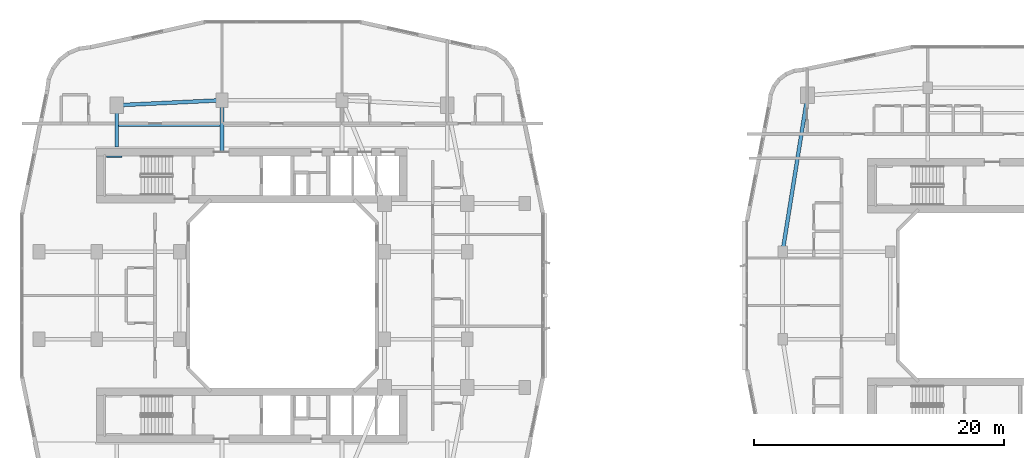
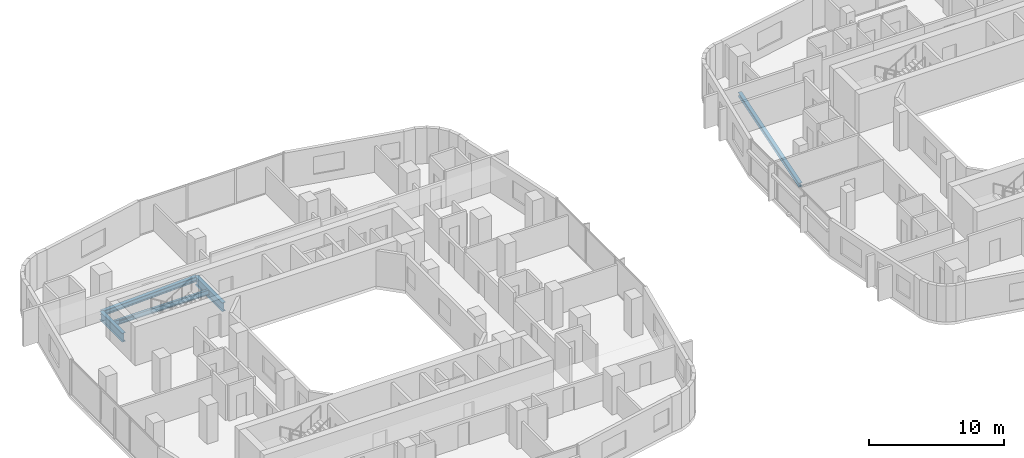
# One storey, part 6 of 27: 6 beams.
"""IFC4 building model written with IfcOpenShell, lengths in metres."""

import ifcopenshell
import ifcopenshell.guid

model = None  # the IFC model being written
_history = None  # IfcOwnerHistory: only IFC2X3 demands one
_inside = {}  # id of a spatial element -> (the spatial element, [elements in it])
_under = {}  # id of a project, library or spatial element -> (it, [spatial elements below it])
_declared = {}  # id of a project -> (the project, [libraries it declares])
_typed = {}  # id of a type object -> (the type object, [elements of that type])
_made_of = {}  # id of a material, layer set ... -> (it, [elements and type objects made of it])


def new_model(schema):
    """Start an empty IFC model of exactly this schema.

    Asked for "IFC4X3", IfcOpenShell would pick the latest addendum, in which some entities
    have other attributes; the version numbers below select the first issue.
    IFC2X3 requires an IfcOwnerHistory on every rooted entity: one is made here for all.
    """
    global model, _history
    if schema == "IFC4X3":
        model = ifcopenshell.file(schema_version=(4, 3, 0, 0))
    else:
        model = ifcopenshell.file(schema=schema)
    _inside.clear()
    _under.clear()
    _declared.clear()
    _typed.clear()
    _made_of.clear()
    _history = None
    if model.schema == "IFC2X3":
        org = make("IfcOrganization", Name="unknown")
        user = make(
            "IfcPersonAndOrganization",
            ThePerson=make("IfcPerson", FamilyName="unknown"),
            TheOrganization=org,
        )
        app = make(
            "IfcApplication",
            ApplicationDeveloper=org,
            Version="unknown",
            ApplicationFullName="unknown",
            ApplicationIdentifier="unknown",
        )
        _history = make(
            "IfcOwnerHistory",
            OwningUser=user,
            OwningApplication=app,
            ChangeAction="ADDED",
            CreationDate=0,
        )
    return model


def make(cls, **values):
    """One entity of the class cls with the attributes given. An attribute that is None is left unset."""
    return model.create_entity(
        cls, **{name: value for name, value in values.items() if value is not None}
    )


def rooted(cls, **values):
    """An entity with a GlobalId (a new one), such as an element, a storey or a relation."""
    return make(cls, GlobalId=ifcopenshell.guid.new(), OwnerHistory=_history, **values)


def si_unit(unit_type, name, prefix=None):
    """IfcSIUnit, for example si_unit("LENGTHUNIT", "METRE", prefix="MILLI")."""
    return make("IfcSIUnit", UnitType=unit_type, Prefix=prefix, Name=name)


def derived_unit(unit_type, elements):
    """IfcDerivedUnit: a product of units, each with its exponent."""
    return make(
        "IfcDerivedUnit",
        Elements=[
            make("IfcDerivedUnitElement", Unit=unit, Exponent=power)
            for unit, power in elements
        ],
        UnitType=unit_type,
    )


def assignment(units):
    """IfcUnitAssignment: the units of a project."""
    return None if units is None else make("IfcUnitAssignment", Units=units)


def point(xyz):
    """IfcCartesianPoint."""
    return None if xyz is None else make("IfcCartesianPoint", Coordinates=xyz)


def direction(xyz):
    """IfcDirection."""
    return None if xyz is None else make("IfcDirection", DirectionRatios=xyz)


def frame(location, z_axis=None, x_axis=None):
    """IfcAxis2Placement3D, a coordinate frame: its origin and axes. An axis left out is left unset."""
    return make(
        "IfcAxis2Placement3D",
        Location=point(location),
        Axis=direction(z_axis),
        RefDirection=direction(x_axis),
    )


def frame_2d(location, x_axis=None):
    """IfcAxis2Placement2D, a coordinate frame in the plane: its origin and x axis."""
    return make(
        "IfcAxis2Placement2D", Location=point(location), RefDirection=direction(x_axis)
    )


def origin():
    """The frame at (0, 0, 0) with its axes left unset."""
    return frame((0.0, 0.0, 0.0))


def origin_2d():
    """The frame at (0, 0) in the plane with its x axis left unset."""
    return frame_2d((0.0, 0.0))


def place(relative_to, where):
    """IfcLocalPlacement: puts the frame where relative to a parent placement (None: the world)."""
    return make(
        "IfcLocalPlacement", PlacementRelTo=relative_to, RelativePlacement=where
    )


def context(
    kind, dimensions, precision=None, world=None, true_north=None, identifier=None
):
    """IfcGeometricRepresentationContext, for example the 3D "Model" context."""
    return make(
        "IfcGeometricRepresentationContext",
        ContextIdentifier=identifier,
        ContextType=kind,
        CoordinateSpaceDimension=dimensions,
        Precision=precision,
        WorldCoordinateSystem=world,
        TrueNorth=true_north,
    )


def subcontext(parent, identifier, kind, view, scale=None):
    """IfcGeometricRepresentationSubContext, for example "Body" below "Model"."""
    return make(
        "IfcGeometricRepresentationSubContext",
        ContextIdentifier=identifier,
        ContextType=kind,
        ParentContext=parent,
        TargetScale=scale,
        TargetView=view,
    )


def project(units=None, contexts=None):
    """IfcProject with its units and contexts."""
    return rooted(
        "IfcProject",
        Name="project",
        RepresentationContexts=contexts,
        UnitsInContext=assignment(units),
    )


def spatial(cls, under=None, at=None, **own):
    """A site, building, storey or space (cls), placed at a placement, below another one or the project."""
    s = rooted(cls, ObjectPlacement=at, **own)
    if under is not None:
        _under.setdefault(under.id(), (under, []))[1].append(s)
    return s


def profile(cls, at=None, kind="AREA", **sizes):
    """A parametric profile (cls). Its sizes go by their IFC names, for example OverallWidth=200.0."""
    return make(cls, ProfileType=kind, Position=at, **sizes)


def i_section(**sizes):
    """IfcIShapeProfileDef."""
    return profile("IfcIShapeProfileDef", **sizes)


def extrude(swept, where, along, depth):
    """IfcExtrudedAreaSolid: the profile swept, set in the frame where, extruded along a direction by depth."""
    return make(
        "IfcExtrudedAreaSolid",
        SweptArea=swept,
        Position=where,
        ExtrudedDirection=direction(along),
        Depth=depth,
    )


def shape(context_of_items, identifier, shape_type, items):
    """IfcShapeRepresentation: the items that make up one representation, for example the "Body"."""
    return make(
        "IfcShapeRepresentation",
        ContextOfItems=context_of_items,
        RepresentationIdentifier=identifier,
        RepresentationType=shape_type,
        Items=items,
    )


def material(Name=None, Category=None):
    """IfcMaterial."""
    return make("IfcMaterial", Name=Name, Category=Category)


def material_profile(
    of_material, cross_section, Name=None, Category=None, Priority=None
):
    """IfcMaterialProfile: a cross section and its material."""
    return make(
        "IfcMaterialProfile",
        Name=Name,
        Material=of_material,
        Profile=cross_section,
        Priority=Priority,
        Category=Category,
    )


def profile_set(profiles, Name=None, composite=None):
    """IfcMaterialProfileSet."""
    return make(
        "IfcMaterialProfileSet",
        Name=Name,
        MaterialProfiles=profiles,
        CompositeProfile=composite,
    )


def made_of(thing, what):
    """Note that an element or type object is made of a material, layer set ...; save() writes the relation."""
    if what is not None:
        _made_of.setdefault(what.id(), (what, []))[1].append(thing)
    return thing


def type_object(cls, material=None, **own):
    """A type object (cls), such as IfcWallType, which elements share."""
    return made_of(rooted(cls, **own), material)


def element(
    cls,
    number,
    at=None,
    inside=None,
    cuts=None,
    type_object=None,
    material=None,
    context=None,
    identifier="Body",
    shape_type=None,
    held_by="IfcProductDefinitionShape",
    body=None,
    shapes=None,
    **own,
):
    """One element of the class cls, such as IfcWall. Its Tag is "e" and its number.

    at: its placement. inside: the storey or other place that contains it. cuts: it is an
    opening in that element (IfcRelVoidsElement). A single representation is given by context,
    identifier, shape_type and body (its items); several are given by shapes. held_by: the class
    of the entity that holds the representations. save() writes the other relations.
    """
    e = rooted(cls, Tag="e%d" % number, ObjectPlacement=at, **own)
    if body is not None:
        shapes = [shape(context, identifier, shape_type, body)]
    if shapes is not None:
        e.Representation = make(held_by, Representations=shapes)
    if inside is not None:
        _inside.setdefault(inside.id(), (inside, []))[1].append(e)
    if cuts is not None:
        rooted(
            "IfcRelVoidsElement", RelatingBuildingElement=cuts, RelatedOpeningElement=e
        )
    if type_object is not None:
        _typed.setdefault(type_object.id(), (type_object, []))[1].append(e)
    return made_of(e, material)


def aggregate(whole, parts):
    """IfcRelAggregates: a whole, such as a stair, and the parts it consists of."""
    return rooted("IfcRelAggregates", RelatingObject=whole, RelatedObjects=parts)


def save(model, path):
    """Write the relations noted so far, then the file.

    IfcRelAggregates (storeys below a building ...), IfcRelContainedInSpatialStructure (elements
    in a storey), IfcRelDefinesByType, IfcRelAssociatesMaterial and IfcRelDeclares: one each for
    every whole, place, type object, material and project.
    """
    for whole, parts in _under.values():
        aggregate(whole, parts)
    for where, things in _inside.values():
        rooted(
            "IfcRelContainedInSpatialStructure",
            RelatedElements=things,
            RelatingStructure=where,
        )
    for kind, things in _typed.values():
        rooted("IfcRelDefinesByType", RelatedObjects=things, RelatingType=kind)
    for what, things in _made_of.values():
        rooted("IfcRelAssociatesMaterial", RelatedObjects=things, RelatingMaterial=what)
    for by, libraries in _declared.values():
        rooted("IfcRelDeclares", RelatingContext=by, RelatedDefinitions=libraries)
    model.write(path)


model = new_model("IFC4")

# Units and contexts
model_context = context("Model", 3, precision=1e-05, world=origin(), true_north=direction((0.0, 1.0)))
body_context = subcontext(model_context, "Body", "Model", "MODEL_VIEW")
ifc_project = project(units=[si_unit("LENGTHUNIT", "METRE"), si_unit("AREAUNIT", "SQUARE_METRE"), si_unit("VOLUMEUNIT", "CUBIC_METRE"), si_unit("PLANEANGLEUNIT", "RADIAN"), si_unit("MASSUNIT", "GRAM", prefix="KILO"), derived_unit("THERMALTRANSMITTANCEUNIT", [(si_unit("POWERUNIT", "WATT"), 1), (si_unit("LENGTHUNIT", "METRE"), -2), (si_unit("THERMODYNAMICTEMPERATUREUNIT", "KELVIN"), -1)])], contexts=[model_context])

# Site, building, storey
site_placement = place(None, origin())
site = spatial("IfcSite", under=ifc_project, at=site_placement, CompositionType="ELEMENT")
building_placement = place(site_placement, origin())
building = spatial("IfcBuilding", under=site, at=building_placement, Name="Kivonza Crest Hotel", CompositionType="ELEMENT")
storey_placement = place(building_placement, frame((0.0, 0.0, 31.0)))
storey = spatial("IfcBuildingStorey", under=building, at=storey_placement, Name="L07", CompositionType="ELEMENT", Elevation=31.0)

# Beams
ifc_material = material(Name="Steel S355", Category="steel")
ifc_material_profile_1 = material_profile(ifc_material, i_section(OverallWidth=0.300048828125, OverallDepth=0.360107421875, WebThickness=0.012451171875, FlangeThickness=0.0224609375, FilletRadius=0.027099609375, at=origin_2d()), Name="HEB 360")
ifc_profile_set_1 = profile_set([ifc_material_profile_1], Name="Steel S355")
beam_type_1 = type_object("IfcBeamType", Name="BM-HEB360", PredefinedType="SPANDREL", material=ifc_profile_set_1)
beam_1_placement = place(storey_placement, frame((63.0, 41.0, -0.429931640625), z_axis=(-0.157990501107, -0.987440631917, 0.0), x_axis=(0.987440631917, -0.157990501107, 0.0)))
element("IfcBeam", 1, at=beam_1_placement, inside=storey, type_object=beam_type_1, Name="Companion Tower T2 L07 perimeter spandrel NW-W2", PredefinedType="SPANDREL", context=body_context, shape_type="SweptSolid", body=[
    extrude(i_section(OverallWidth=0.300048828125, OverallDepth=0.360107421875, WebThickness=0.012451171875, FlangeThickness=0.0224609375, FilletRadius=0.027099609375, at=origin_2d()), origin(), (0.0, 0.0, 1.0), 12.658935546875),
])
ifc_material_profile_2 = material_profile(ifc_material, i_section(OverallWidth=0.300048828125, OverallDepth=0.449951171875, WebThickness=0.013916015625, FlangeThickness=0.02587890625, FilletRadius=0.027099609375, at=origin_2d()), Name="HEB 450")
ifc_profile_set_2 = profile_set([ifc_material_profile_2], Name="Steel S355")
beam_type_2 = type_object("IfcBeamType", Name="BM-HEB450", PredefinedType="SPANDREL", material=ifc_profile_set_2)
beam_2_placement = place(storey_placement, frame((16.199951171875, 40.60009765625, -0.5048828125), z_axis=(-0.998867283688, -0.047583080799, 0.0), x_axis=(0.047583080799, -0.998867283688, 0.0)))
element("IfcBeam", 2, at=beam_2_placement, inside=storey, type_object=beam_type_2, Name="Tower T1 L07 perimeter spandrel N1-NW", PredefinedType="SPANDREL", context=body_context, shape_type="SweptSolid", body=[
    extrude(i_section(OverallWidth=0.300048828125, OverallDepth=0.449951171875, WebThickness=0.013916015625, FlangeThickness=0.02587890625, FilletRadius=0.027099609375, at=origin_2d()), origin(), (0.0, 0.0, 1.0), 8.409423828125),
])
ifc_material_profile_3 = material_profile(ifc_material, i_section(OverallWidth=0.300048828125, OverallDepth=0.800048828125, WebThickness=0.017578125, FlangeThickness=0.032958984375, FilletRadius=0.030029296875, at=origin_2d()), Name="HEB 800")
ifc_profile_set_3 = profile_set([ifc_material_profile_3], Name="Steel S355")
beam_type_3 = type_object("IfcBeamType", Name="BM-HEB800", PredefinedType="BEAM", material=ifc_profile_set_3)
beam_3_placement = place(storey_placement, frame((7.800048828125, 40.199951171875, -0.679931640625), z_axis=(0.0, -1.0, 0.0), x_axis=(1.0, 0.0, 0.0)))
element("IfcBeam", 3, at=beam_3_placement, inside=storey, type_object=beam_type_3, Name="Tower T1 L07 radial core girder RNW", PredefinedType="BEAM", context=body_context, shape_type="SweptSolid", body=[
    extrude(i_section(OverallWidth=0.300048828125, OverallDepth=0.800048828125, WebThickness=0.017578125, FlangeThickness=0.032958984375, FilletRadius=0.030029296875, at=origin_2d()), origin(), (0.0, 0.0, 1.0), 3.349853515625),
])
beam_4_placement = place(storey_placement, frame((16.199951171875, 40.60009765625, -0.679931640625), z_axis=(0.0, -1.0, 0.0), x_axis=(1.0, 0.0, 0.0)))
element("IfcBeam", 4, at=beam_4_placement, inside=storey, type_object=beam_type_3, Name="Tower T1 L07 radial core girder RN1", PredefinedType="BEAM", context=body_context, shape_type="SweptSolid", body=[
    extrude(i_section(OverallWidth=0.300048828125, OverallDepth=0.800048828125, WebThickness=0.017578125, FlangeThickness=0.032958984375, FilletRadius=0.030029296875, at=origin_2d()), origin(), (0.0, 0.0, 1.0), 4.050048828125),
])
ifc_material_profile_4 = material_profile(ifc_material, i_section(OverallWidth=0.18994140625, OverallDepth=0.449951171875, WebThickness=0.009521484375, FlangeThickness=0.0146484375, FilletRadius=0.02099609375, at=origin_2d()), Name="IPE 450")
ifc_profile_set_4 = profile_set([ifc_material_profile_4], Name="Steel S355")
beam_type_4 = type_object("IfcBeamType", Name="BM-IPE450", PredefinedType="JOIST", material=ifc_profile_set_4)
beam_5_placement = place(storey_placement, frame((7.8798828125, 38.60009765625, -0.5048828125), z_axis=(1.0, 0.0, 0.0), x_axis=(0.0, 1.0, 0.0)))
element("IfcBeam", 5, at=beam_5_placement, inside=storey, type_object=beam_type_4, Name="Tower T1 L07 North-West floor joist", PredefinedType="JOIST", context=body_context, shape_type="SweptSolid", body=[
    extrude(i_section(OverallWidth=0.18994140625, OverallDepth=0.449951171875, WebThickness=0.009521484375, FlangeThickness=0.0146484375, FilletRadius=0.02099609375, at=origin_2d()), origin(), (0.0, 0.0, 1.0), 8.240234375),
])
ifc_material_profile_5 = material_profile(ifc_material, i_section(OverallWidth=0.1201171875, OverallDepth=0.239990234375, WebThickness=0.006103515625, FlangeThickness=0.009765625, FilletRadius=0.014892578125, at=origin_2d()), Name="IPE 240")
ifc_profile_set_5 = profile_set([ifc_material_profile_5], Name="Steel S355")
beam_type_5 = type_object("IfcBeamType", Name="BM-LLDG-240", PredefinedType="BEAM", material=ifc_profile_set_5)
beam_6_placement = place(storey_placement, frame((6.989990234375, 36.10009765625, 1.429931640625), z_axis=(1.0, 0.0, 0.0), x_axis=(0.0, 1.0, 0.0)))
element("IfcBeam", 6, at=beam_6_placement, inside=storey, type_object=beam_type_5, Name="Stair ST-T1-N L07 North landing corbel", PredefinedType="BEAM", context=body_context, shape_type="SweptSolid", body=[
    extrude(i_section(OverallWidth=0.1201171875, OverallDepth=0.239990234375, WebThickness=0.006103515625, FlangeThickness=0.009765625, FilletRadius=0.014892578125, at=origin_2d()), origin(), (0.0, 0.0, 1.0), 1.2099609375),
])

save(model, "model.ifc")
